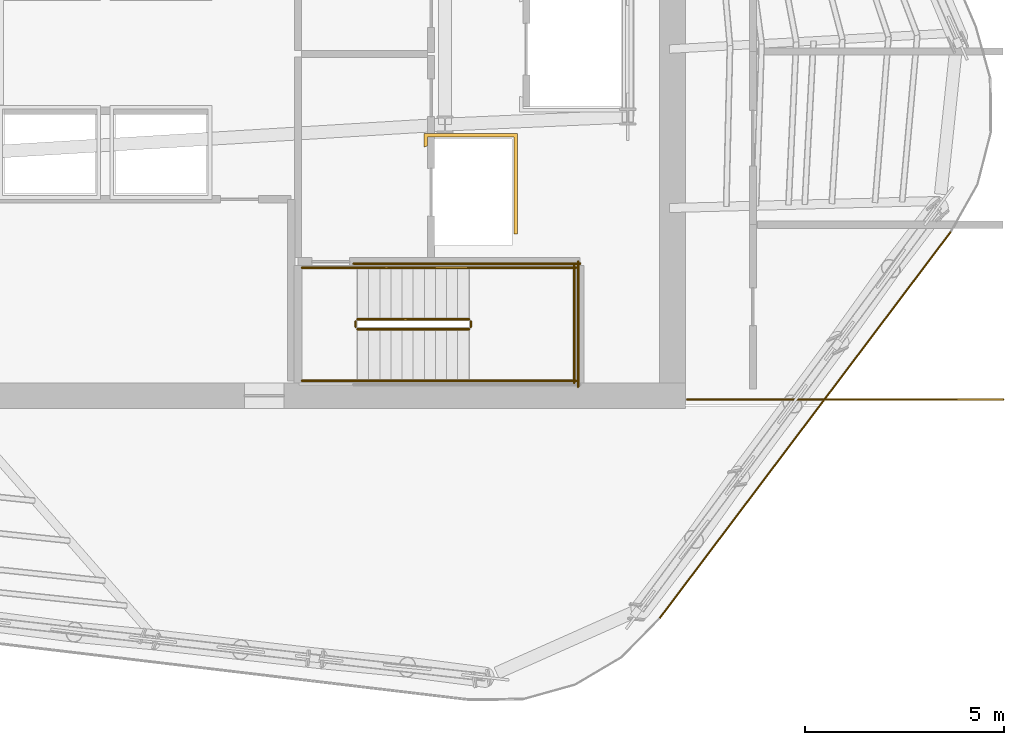
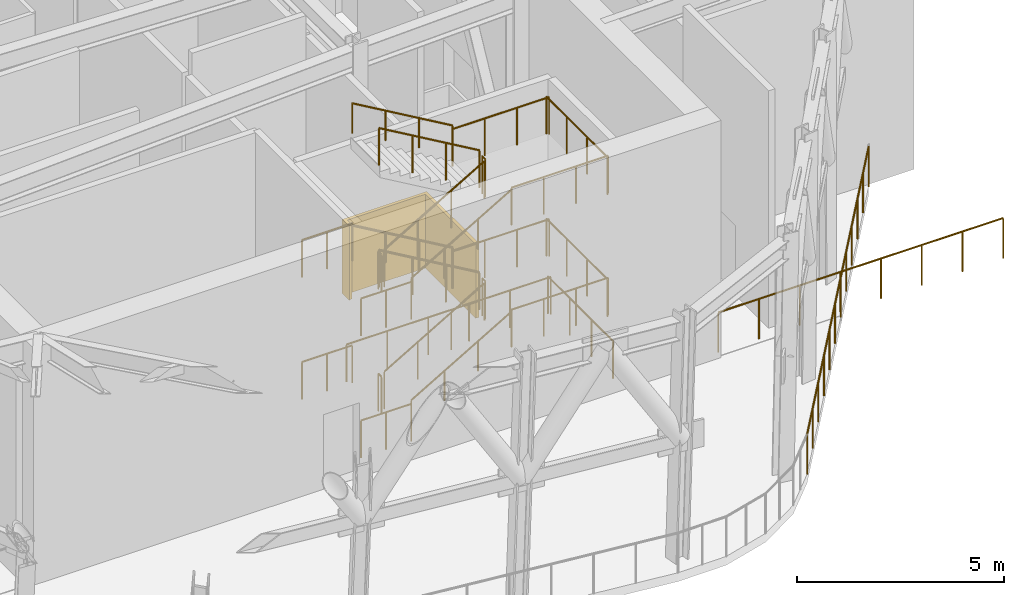
# One storey, part 8 of 10: 26 railings, 1 covering.
"""IFC4 building model written with IfcOpenShell, lengths in metres."""

import ifcopenshell
import ifcopenshell.guid

model = None  # the IFC model being written
_history = None  # IfcOwnerHistory: only IFC2X3 demands one
_inside = {}  # id of a spatial element -> (the spatial element, [elements in it])
_under = {}  # id of a project, library or spatial element -> (it, [spatial elements below it])
_declared = {}  # id of a project -> (the project, [libraries it declares])
_typed = {}  # id of a type object -> (the type object, [elements of that type])
_made_of = {}  # id of a material, layer set ... -> (it, [elements and type objects made of it])


def new_model(schema):
    """Start an empty IFC model of exactly this schema.

    Asked for "IFC4X3", IfcOpenShell would pick the latest addendum, in which some entities
    have other attributes; the version numbers below select the first issue.
    IFC2X3 requires an IfcOwnerHistory on every rooted entity: one is made here for all.
    """
    global model, _history
    if schema == "IFC4X3":
        model = ifcopenshell.file(schema_version=(4, 3, 0, 0))
    else:
        model = ifcopenshell.file(schema=schema)
    _inside.clear()
    _under.clear()
    _declared.clear()
    _typed.clear()
    _made_of.clear()
    _history = None
    if model.schema == "IFC2X3":
        org = make("IfcOrganization", Name="unknown")
        user = make(
            "IfcPersonAndOrganization",
            ThePerson=make("IfcPerson", FamilyName="unknown"),
            TheOrganization=org,
        )
        app = make(
            "IfcApplication",
            ApplicationDeveloper=org,
            Version="unknown",
            ApplicationFullName="unknown",
            ApplicationIdentifier="unknown",
        )
        _history = make(
            "IfcOwnerHistory",
            OwningUser=user,
            OwningApplication=app,
            ChangeAction="ADDED",
            CreationDate=0,
        )
    return model


def make(cls, **values):
    """One entity of the class cls with the attributes given. An attribute that is None is left unset."""
    return model.create_entity(
        cls, **{name: value for name, value in values.items() if value is not None}
    )


def rooted(cls, **values):
    """An entity with a GlobalId (a new one), such as an element, a storey or a relation."""
    return make(cls, GlobalId=ifcopenshell.guid.new(), OwnerHistory=_history, **values)


def si_unit(unit_type, name, prefix=None):
    """IfcSIUnit, for example si_unit("LENGTHUNIT", "METRE", prefix="MILLI")."""
    return make("IfcSIUnit", UnitType=unit_type, Prefix=prefix, Name=name)


def assignment(units):
    """IfcUnitAssignment: the units of a project."""
    return None if units is None else make("IfcUnitAssignment", Units=units)


def point(xyz):
    """IfcCartesianPoint."""
    return None if xyz is None else make("IfcCartesianPoint", Coordinates=xyz)


def direction(xyz):
    """IfcDirection."""
    return None if xyz is None else make("IfcDirection", DirectionRatios=xyz)


def frame(location, z_axis=None, x_axis=None):
    """IfcAxis2Placement3D, a coordinate frame: its origin and axes. An axis left out is left unset."""
    return make(
        "IfcAxis2Placement3D",
        Location=point(location),
        Axis=direction(z_axis),
        RefDirection=direction(x_axis),
    )


def frame_2d(location, x_axis=None):
    """IfcAxis2Placement2D, a coordinate frame in the plane: its origin and x axis."""
    return make(
        "IfcAxis2Placement2D", Location=point(location), RefDirection=direction(x_axis)
    )


def origin():
    """The frame at (0, 0, 0) with its axes left unset."""
    return frame((0.0, 0.0, 0.0))


def origin_2d():
    """The frame at (0, 0) in the plane with its x axis left unset."""
    return frame_2d((0.0, 0.0))


def place(relative_to, where):
    """IfcLocalPlacement: puts the frame where relative to a parent placement (None: the world)."""
    return make(
        "IfcLocalPlacement", PlacementRelTo=relative_to, RelativePlacement=where
    )


def context(
    kind, dimensions, precision=None, world=None, true_north=None, identifier=None
):
    """IfcGeometricRepresentationContext, for example the 3D "Model" context."""
    return make(
        "IfcGeometricRepresentationContext",
        ContextIdentifier=identifier,
        ContextType=kind,
        CoordinateSpaceDimension=dimensions,
        Precision=precision,
        WorldCoordinateSystem=world,
        TrueNorth=true_north,
    )


def subcontext(parent, identifier, kind, view, scale=None):
    """IfcGeometricRepresentationSubContext, for example "Body" below "Model"."""
    return make(
        "IfcGeometricRepresentationSubContext",
        ContextIdentifier=identifier,
        ContextType=kind,
        ParentContext=parent,
        TargetScale=scale,
        TargetView=view,
    )


def project(units=None, contexts=None):
    """IfcProject with its units and contexts."""
    return rooted(
        "IfcProject",
        Name="project",
        RepresentationContexts=contexts,
        UnitsInContext=assignment(units),
    )


def spatial(cls, under=None, at=None, **own):
    """A site, building, storey or space (cls), placed at a placement, below another one or the project."""
    s = rooted(cls, ObjectPlacement=at, **own)
    if under is not None:
        _under.setdefault(under.id(), (under, []))[1].append(s)
    return s


def polyline(points):
    """IfcPolyline through the points."""
    return make("IfcPolyline", Points=[point(p) for p in points])


def profile(cls, at=None, kind="AREA", **sizes):
    """A parametric profile (cls). Its sizes go by their IFC names, for example OverallWidth=200.0."""
    return make(cls, ProfileType=kind, Position=at, **sizes)


def circle(**sizes):
    """IfcCircleProfileDef."""
    return profile("IfcCircleProfileDef", **sizes)


def outline(outer, holes=None, kind="AREA"):
    """IfcArbitraryClosedProfileDef: a profile drawn as a closed curve; with holes, ...WithVoids."""
    if holes is None:
        return make("IfcArbitraryClosedProfileDef", ProfileType=kind, OuterCurve=outer)
    return make(
        "IfcArbitraryProfileDefWithVoids",
        ProfileType=kind,
        OuterCurve=outer,
        InnerCurves=holes,
    )


def extrude(swept, where, along, depth):
    """IfcExtrudedAreaSolid: the profile swept, set in the frame where, extruded along a direction by depth."""
    return make(
        "IfcExtrudedAreaSolid",
        SweptArea=swept,
        Position=where,
        ExtrudedDirection=direction(along),
        Depth=depth,
    )


def shape(context_of_items, identifier, shape_type, items):
    """IfcShapeRepresentation: the items that make up one representation, for example the "Body"."""
    return make(
        "IfcShapeRepresentation",
        ContextOfItems=context_of_items,
        RepresentationIdentifier=identifier,
        RepresentationType=shape_type,
        Items=items,
    )


def material(Name=None, Category=None):
    """IfcMaterial."""
    return make("IfcMaterial", Name=Name, Category=Category)


def layer(
    of_material, thickness, ventilated=None, Name=None, Category=None, Priority=None
):
    """IfcMaterialLayer: one layer of a wall or slab, of a material (None: an air gap)."""
    return make(
        "IfcMaterialLayer",
        Material=of_material,
        LayerThickness=thickness,
        IsVentilated=ventilated,
        Name=Name,
        Category=Category,
        Priority=Priority,
    )


def layer_set(layers, Name=None):
    """IfcMaterialLayerSet."""
    return make("IfcMaterialLayerSet", MaterialLayers=layers, LayerSetName=Name)


def made_of(thing, what):
    """Note that an element or type object is made of a material, layer set ...; save() writes the relation."""
    if what is not None:
        _made_of.setdefault(what.id(), (what, []))[1].append(thing)
    return thing


def type_object(cls, material=None, **own):
    """A type object (cls), such as IfcWallType, which elements share."""
    return made_of(rooted(cls, **own), material)


def element(
    cls,
    number,
    at=None,
    inside=None,
    cuts=None,
    type_object=None,
    material=None,
    context=None,
    identifier="Body",
    shape_type=None,
    held_by="IfcProductDefinitionShape",
    body=None,
    shapes=None,
    **own,
):
    """One element of the class cls, such as IfcWall. Its Tag is "e" and its number.

    at: its placement. inside: the storey or other place that contains it. cuts: it is an
    opening in that element (IfcRelVoidsElement). A single representation is given by context,
    identifier, shape_type and body (its items); several are given by shapes. held_by: the class
    of the entity that holds the representations. save() writes the other relations.
    """
    e = rooted(cls, Tag="e%d" % number, ObjectPlacement=at, **own)
    if body is not None:
        shapes = [shape(context, identifier, shape_type, body)]
    if shapes is not None:
        e.Representation = make(held_by, Representations=shapes)
    if inside is not None:
        _inside.setdefault(inside.id(), (inside, []))[1].append(e)
    if cuts is not None:
        rooted(
            "IfcRelVoidsElement", RelatingBuildingElement=cuts, RelatedOpeningElement=e
        )
    if type_object is not None:
        _typed.setdefault(type_object.id(), (type_object, []))[1].append(e)
    return made_of(e, material)


def aggregate(whole, parts):
    """IfcRelAggregates: a whole, such as a stair, and the parts it consists of."""
    return rooted("IfcRelAggregates", RelatingObject=whole, RelatedObjects=parts)


def save(model, path):
    """Write the relations noted so far, then the file.

    IfcRelAggregates (storeys below a building ...), IfcRelContainedInSpatialStructure (elements
    in a storey), IfcRelDefinesByType, IfcRelAssociatesMaterial and IfcRelDeclares: one each for
    every whole, place, type object, material and project.
    """
    for whole, parts in _under.values():
        aggregate(whole, parts)
    for where, things in _inside.values():
        rooted(
            "IfcRelContainedInSpatialStructure",
            RelatedElements=things,
            RelatingStructure=where,
        )
    for kind, things in _typed.values():
        rooted("IfcRelDefinesByType", RelatedObjects=things, RelatingType=kind)
    for what, things in _made_of.values():
        rooted("IfcRelAssociatesMaterial", RelatedObjects=things, RelatingMaterial=what)
    for by, libraries in _declared.values():
        rooted("IfcRelDeclares", RelatingContext=by, RelatedDefinitions=libraries)
    model.write(path)


model = new_model("IFC4")

# Units and contexts
model_context = context("Model", 3, precision=1e-05, world=origin(), true_north=direction((0.0, 1.0)))
body_context = subcontext(model_context, "Body", "Model", "MODEL_VIEW")
ifc_project = project(units=[si_unit("LENGTHUNIT", "METRE"), si_unit("AREAUNIT", "SQUARE_METRE"), si_unit("VOLUMEUNIT", "CUBIC_METRE"), si_unit("PLANEANGLEUNIT", "RADIAN"), si_unit("MASSUNIT", "GRAM", prefix="KILO")], contexts=[model_context])

# Site, building, storey
site_placement = place(None, origin())
site = spatial("IfcSite", under=ifc_project, at=site_placement, CompositionType="ELEMENT")
building_placement = place(site_placement, origin())
building = spatial("IfcBuilding", under=site, at=building_placement, Name="Valkerne Bourse Tower", CompositionType="ELEMENT")
storey_placement = place(building_placement, frame((0.0, 0.0, 251.199951171875)))
storey = spatial("IfcBuildingStorey", under=building, at=storey_placement, Name="L64", CompositionType="ELEMENT", Elevation=251.199951171875)

# Covering
ifc_material_1 = material(Name="Gypsum Shaftwall Liner Board", Category="gypsum")
ifc_layer = layer(ifc_material_1, 0.080078125)
ifc_layer_set = layer_set([ifc_layer], Name="Gypsum Shaftwall Liner Board")
covering_type = type_object("IfcCoveringType", Name="COV-SHF-CLAD", PredefinedType="CLADDING", material=ifc_layer_set)
covering_placement = place(storey_placement, origin())
element("IfcCovering", 1, at=covering_placement, inside=storey, type_object=covering_type, Name="L64 Hoistway & Riser Shaftwall Liner 05", PredefinedType="CLADDING", context=body_context, shape_type="SweptSolid", body=[
    extrude(outline(polyline([(52.179931640625, 22.35009765625), (52.090087890625, 22.35009765625), (52.090087890625, 24.7900390625), (49.909912109375, 24.7900390625), (49.909912109375, 24.560791015625), (49.869384765625, 24.550537109375), (49.827880859375, 24.53564453125), (49.820068359375, 24.531982421875), (49.820068359375, 24.8798828125), (52.179931640625, 24.8798828125), (52.179931640625, 22.35009765625)])), origin(), (0.0, 0.0, 1.0), 2.179931640625),
])

# Railings
ifc_material_2 = material(Name="Stainless Steel AISI 316", Category="steel")
railing_type_1 = type_object("IfcRailingType", Name="RLG-PORTAL-1200", PredefinedType="GUARDRAIL", material=ifc_material_2)
railing_1_placement = place(storey_placement, frame((55.7431640625, 12.66015625, 0.0)))
element("IfcRailing", 2, at=railing_1_placement, inside=storey, type_object=railing_type_1, Name="L64 Perimeter Guard Railing GRD-L64-HEX-25", PredefinedType="GUARDRAIL", context=body_context, shape_type="SweptSolid", body=[
    extrude(circle(Radius=0.02392578125, at=origin_2d()), frame((0.0, 0.0, 1.17578125), z_axis=(0.601736173692, 0.798694921275, 0.0), x_axis=(-0.798694921275, 0.601736173692, 0.0)), (0.0, 0.0, 1.0), 12.20703125),
    extrude(circle(Radius=0.02099609375, at=origin_2d()), origin(), (0.0, 0.0, 1.0), 1.15185546875),
    extrude(circle(Radius=0.02099609375, at=origin_2d()), frame((0.667724609375, 0.88623046875, 0.0)), (0.0, 0.0, 1.0), 1.15185546875),
    extrude(circle(Radius=0.02099609375, at=origin_2d()), frame((1.33544921875, 1.772705078125, 0.0)), (0.0, 0.0, 1.0), 1.15185546875),
    extrude(circle(Radius=0.02099609375, at=origin_2d()), frame((2.00341796875, 2.658935546875, 0.0)), (0.0, 0.0, 1.0), 1.15185546875),
    extrude(circle(Radius=0.02099609375, at=origin_2d()), frame((2.671142578125, 3.54541015625, 0.0)), (0.0, 0.0, 1.0), 1.15185546875),
    extrude(circle(Radius=0.02099609375, at=origin_2d()), frame((3.3388671875, 4.431640625, 0.0)), (0.0, 0.0, 1.0), 1.15185546875),
    extrude(circle(Radius=0.02099609375, at=origin_2d()), frame((4.006591796875, 5.318115234375, 0.0)), (0.0, 0.0, 1.0), 1.15185546875),
    extrude(circle(Radius=0.02099609375, at=origin_2d()), frame((4.67431640625, 6.204345703125, 0.0)), (0.0, 0.0, 1.0), 1.15185546875),
    extrude(circle(Radius=0.02099609375, at=origin_2d()), frame((5.342041015625, 7.0908203125, 0.0)), (0.0, 0.0, 1.0), 1.15185546875),
    extrude(circle(Radius=0.02099609375, at=origin_2d()), frame((6.010009765625, 7.97705078125, 0.0)), (0.0, 0.0, 1.0), 1.15185546875),
    extrude(circle(Radius=0.02099609375, at=origin_2d()), frame((6.677734375, 8.863525390625, 0.0)), (0.0, 0.0, 1.0), 1.15185546875),
    extrude(circle(Radius=0.02099609375, at=origin_2d()), frame((7.345458984375, 9.749755859375, 0.0)), (0.0, 0.0, 1.0), 1.15185546875),
])
railing_2_placement = place(storey_placement, frame((56.449951171875, 18.179931640625, 0.0)))
element("IfcRailing", 3, at=railing_2_placement, inside=storey, type_object=railing_type_1, Name="L64 Wind Portal Bridge Guard SE", PredefinedType="GUARDRAIL", context=body_context, shape_type="SweptSolid", body=[
    extrude(circle(Radius=0.02392578125, at=origin_2d()), frame((0.0, 0.0, 1.17578125), z_axis=(1.0, 0.0, 0.0), x_axis=(0.0, 1.0, 0.0)), (0.0, 0.0, 1.0), 7.949951171875),
    extrude(circle(Radius=0.02099609375, at=origin_2d()), origin(), (0.0, 0.0, 1.0), 1.15185546875),
    extrude(circle(Radius=0.02099609375, at=origin_2d()), frame((1.1357421875, 0.0, 0.0)), (0.0, 0.0, 1.0), 1.15185546875),
    extrude(circle(Radius=0.02099609375, at=origin_2d()), frame((2.271484375, 0.0, 0.0)), (0.0, 0.0, 1.0), 1.15185546875),
    extrude(circle(Radius=0.02099609375, at=origin_2d()), frame((3.4072265625, 0.0, 0.0)), (0.0, 0.0, 1.0), 1.15185546875),
    extrude(circle(Radius=0.02099609375, at=origin_2d()), frame((4.542724609375, 0.0, 0.0)), (0.0, 0.0, 1.0), 1.15185546875),
    extrude(circle(Radius=0.02099609375, at=origin_2d()), frame((5.678466796875, 0.0, 0.0)), (0.0, 0.0, 1.0), 1.15185546875),
    extrude(circle(Radius=0.02099609375, at=origin_2d()), frame((6.814208984375, 0.0, 0.0)), (0.0, 0.0, 1.0), 1.15185546875),
    extrude(circle(Radius=0.02099609375, at=origin_2d()), frame((7.949951171875, 0.0, 0.0)), (0.0, 0.0, 1.0), 1.15185546875),
])
ifc_material_3 = material(Name="Galvanised Painted Steel", Category="steel")
railing_type_2 = type_object("IfcRailingType", Name="RLG-ST-GUARD-1120", PredefinedType="GUARDRAIL", material=ifc_material_3)
railing_3_placement = place(storey_placement, frame((48.14990234375, 19.949951171875, 0.16357421875)))
element("IfcRailing", 4, at=railing_3_placement, inside=storey, type_object=railing_type_2, Name="L64 ST-1 stair guard 1", PredefinedType="GUARDRAIL", context=body_context, shape_type="SweptSolid", body=[
    extrude(circle(Radius=0.02392578125, at=origin_2d()), frame((0.0, 0.0, 1.09619140625), z_axis=(0.863360870873, 0.0, 0.504586966384), x_axis=(0.0, 1.0, 0.0)), (0.0, 0.0, 1.0), 3.2431640625),
    extrude(circle(Radius=0.02099609375, at=origin_2d()), origin(), (0.0, 0.0, 1.0), 1.072021484375),
    extrude(circle(Radius=0.02099609375, at=origin_2d()), frame((0.933349609375, 0.0, 0.54541015625)), (0.0, 0.0, 1.0), 1.072021484375),
    extrude(circle(Radius=0.02099609375, at=origin_2d()), frame((1.86669921875, 0.0, 1.091064453125)), (0.0, 0.0, 1.0), 1.072021484375),
    extrude(circle(Radius=0.02099609375, at=origin_2d()), frame((2.800048828125, 0.0, 1.636474609375)), (0.0, 0.0, 1.0), 1.072021484375),
])
railing_4_placement = place(storey_placement, frame((51.0, 20.0, 1.800048828125)))
element("IfcRailing", 5, at=railing_4_placement, inside=storey, type_object=railing_type_2, Name="L64 ST-1 stair guard 2", PredefinedType="GUARDRAIL", context=body_context, shape_type="SweptSolid", body=[
    extrude(circle(Radius=0.02392578125, at=origin_2d()), frame((0.0, 0.0, 1.09619140625), z_axis=(0.0, 1.0, 0.0), x_axis=(-1.0, 0.0, 0.0)), (0.0, 0.0, 1.0), 0.14990234375),
    extrude(circle(Radius=0.02099609375, at=origin_2d()), origin(), (0.0, 0.0, 1.0), 1.072021484375),
    extrude(circle(Radius=0.02099609375, at=origin_2d()), frame((0.0, 0.14990234375, 0.0)), (0.0, 0.0, 1.0), 1.072021484375),
])
for number, where, name in (
    (6, (50.949951171875, 18.64990234375, 1.800048828125), "L64 ST-1 stair guard 3"),
    (7, (50.949951171875, 21.5, 1.800048828125), "L64 ST-1 stair guard 4"),
):
    element("IfcRailing", number, at=place(storey_placement, frame(where)), inside=storey, type_object=railing_type_2, Name=name, PredefinedType="GUARDRAIL", context=body_context, shape_type="SweptSolid", body=[
        extrude(circle(Radius=0.02392578125, at=origin_2d()), frame((0.0, 0.0, 1.09619140625), z_axis=(1.0, 0.0, 0.0), x_axis=(0.0, 1.0, 0.0)), (0.0, 0.0, 1.0), 2.699951171875),
        extrude(circle(Radius=0.02099609375, at=origin_2d()), origin(), (0.0, 0.0, 1.0), 1.072021484375),
        extrude(circle(Radius=0.02099609375, at=origin_2d()), frame((0.89990234375, 0.0, 0.0)), (0.0, 0.0, 1.0), 1.072021484375),
        extrude(circle(Radius=0.02099609375, at=origin_2d()), frame((1.800048828125, 0.0, 0.0)), (0.0, 0.0, 1.0), 1.072021484375),
        extrude(circle(Radius=0.02099609375, at=origin_2d()), frame((2.699951171875, 0.0, 0.0)), (0.0, 0.0, 1.0), 1.072021484375),
    ])
railing_5_placement = place(storey_placement, frame((53.60009765625, 18.60009765625, 1.800048828125)))
element("IfcRailing", 8, at=railing_5_placement, inside=storey, type_object=railing_type_2, Name="L64 ST-1 stair guard 5", PredefinedType="GUARDRAIL", context=body_context, shape_type="SweptSolid", body=[
    extrude(circle(Radius=0.02392578125, at=origin_2d()), frame((0.0, 0.0, 1.09619140625), z_axis=(0.0, 1.0, 0.0), x_axis=(-1.0, 0.0, 0.0)), (0.0, 0.0, 1.0), 2.949951171875),
    extrude(circle(Radius=0.02099609375, at=origin_2d()), origin(), (0.0, 0.0, 1.0), 1.072021484375),
    extrude(circle(Radius=0.02099609375, at=origin_2d()), frame((0.0, 0.9833984375, 0.0)), (0.0, 0.0, 1.0), 1.072021484375),
    extrude(circle(Radius=0.02099609375, at=origin_2d()), frame((0.0, 1.966552734375, 0.0)), (0.0, 0.0, 1.0), 1.072021484375),
    extrude(circle(Radius=0.02099609375, at=origin_2d()), frame((0.0, 2.949951171875, 0.0)), (0.0, 0.0, 1.0), 1.072021484375),
])
railing_6_placement = place(storey_placement, frame((50.949951171875, 20.199951171875, 1.963623046875)))
element("IfcRailing", 9, at=railing_6_placement, inside=storey, type_object=railing_type_2, Name="L64 ST-1 stair guard 6", PredefinedType="GUARDRAIL", context=body_context, shape_type="SweptSolid", body=[
    extrude(circle(Radius=0.02392578125, at=origin_2d()), frame((0.0, 0.0, 1.09619140625), z_axis=(-0.863360870873, 0.0, 0.504586966384), x_axis=(0.0, -1.0, 0.0)), (0.0, 0.0, 1.0), 3.2431640625),
    extrude(circle(Radius=0.02099609375, at=origin_2d()), origin(), (0.0, 0.0, 1.0), 1.072021484375),
    extrude(circle(Radius=0.02099609375, at=origin_2d()), frame((-0.933349609375, 0.0, 0.54541015625)), (0.0, 0.0, 1.0), 1.072021484375),
    extrude(circle(Radius=0.02099609375, at=origin_2d()), frame((-1.86669921875, 0.0, 1.091064453125)), (0.0, 0.0, 1.0), 1.072021484375),
    extrude(circle(Radius=0.02099609375, at=origin_2d()), frame((-2.800048828125, 0.0, 1.636474609375)), (0.0, 0.0, 1.0), 1.072021484375),
])
railing_7_placement = place(storey_placement, frame((48.10009765625, 20.0, 3.60009765625)))
element("IfcRailing", 10, at=railing_7_placement, inside=storey, type_object=railing_type_2, Name="L64 ST-1 stair guard 7", PredefinedType="GUARDRAIL", context=body_context, shape_type="SweptSolid", body=[
    extrude(circle(Radius=0.02392578125, at=origin_2d()), frame((0.0, 0.0, 1.09619140625), z_axis=(0.0, 1.0, 0.0), x_axis=(-1.0, 0.0, 0.0)), (0.0, 0.0, 1.0), 0.14990234375),
    extrude(circle(Radius=0.02099609375, at=origin_2d()), origin(), (0.0, 0.0, 1.0), 1.072021484375),
    extrude(circle(Radius=0.02099609375, at=origin_2d()), frame((0.0, 0.14990234375, 0.0)), (0.0, 0.0, 1.0), 1.072021484375),
])
for number, where, name in (
    (11, (46.75, 18.64990234375, 3.60009765625), "L64 ST-1 stair guard 8"),
    (12, (46.75, 21.5, 3.60009765625), "L64 ST-1 stair guard 9"),
):
    element("IfcRailing", number, at=place(storey_placement, frame(where)), inside=storey, type_object=railing_type_2, Name=name, PredefinedType="GUARDRAIL", context=body_context, shape_type="SweptSolid", body=[
        extrude(circle(Radius=0.02392578125, at=origin_2d()), frame((0.0, 0.0, 1.09619140625), z_axis=(1.0, 0.0, 0.0), x_axis=(0.0, 1.0, 0.0)), (0.0, 0.0, 1.0), 1.39990234375),
        extrude(circle(Radius=0.02099609375, at=origin_2d()), origin(), (0.0, 0.0, 1.0), 1.072021484375),
        extrude(circle(Radius=0.02099609375, at=origin_2d()), frame((0.699951171875, 0.0, 0.0)), (0.0, 0.0, 1.0), 1.072021484375),
        extrude(circle(Radius=0.02099609375, at=origin_2d()), frame((1.39990234375, 0.0, 0.0)), (0.0, 0.0, 1.0), 1.072021484375),
    ])
railing_8_placement = place(storey_placement, frame((48.14990234375, 19.949951171875, 3.763671875)))
element("IfcRailing", 13, at=railing_8_placement, inside=storey, type_object=railing_type_2, Name="L64 ST-1 stair guard 10", PredefinedType="GUARDRAIL", context=body_context, shape_type="SweptSolid", body=[
    extrude(circle(Radius=0.02392578125, at=origin_2d()), frame((0.0, 0.0, 1.09619140625), z_axis=(0.863360870873, 0.0, 0.504586966384), x_axis=(0.0, 1.0, 0.0)), (0.0, 0.0, 1.0), 3.2431640625),
    extrude(circle(Radius=0.02099609375, at=origin_2d()), origin(), (0.0, 0.0, 1.0), 1.072021484375),
    extrude(circle(Radius=0.02099609375, at=origin_2d()), frame((0.933349609375, 0.0, 0.54541015625)), (0.0, 0.0, 1.0), 1.072021484375),
    extrude(circle(Radius=0.02099609375, at=origin_2d()), frame((1.86669921875, 0.0, 1.091064453125)), (0.0, 0.0, 1.0), 1.072021484375),
    extrude(circle(Radius=0.02099609375, at=origin_2d()), frame((2.800048828125, 0.0, 1.636474609375)), (0.0, 0.0, 1.0), 1.072021484375),
])
railing_9_placement = place(storey_placement, frame((51.0, 20.0, 5.400146484375)))
element("IfcRailing", 14, at=railing_9_placement, inside=storey, type_object=railing_type_2, Name="L64 ST-1 stair guard 11", PredefinedType="GUARDRAIL", context=body_context, shape_type="SweptSolid", body=[
    extrude(circle(Radius=0.02392578125, at=origin_2d()), frame((0.0, 0.0, 1.09619140625), z_axis=(0.0, 1.0, 0.0), x_axis=(-1.0, 0.0, 0.0)), (0.0, 0.0, 1.0), 0.14990234375),
    extrude(circle(Radius=0.02099609375, at=origin_2d()), origin(), (0.0, 0.0, 1.0), 1.072021484375),
    extrude(circle(Radius=0.02099609375, at=origin_2d()), frame((0.0, 0.14990234375, 0.0)), (0.0, 0.0, 1.0), 1.072021484375),
])
for number, where, name in (
    (15, (50.949951171875, 18.64990234375, 5.400146484375), "L64 ST-1 stair guard 12"),
    (16, (50.949951171875, 21.5, 5.400146484375), "L64 ST-1 stair guard 13"),
):
    element("IfcRailing", number, at=place(storey_placement, frame(where)), inside=storey, type_object=railing_type_2, Name=name, PredefinedType="GUARDRAIL", context=body_context, shape_type="SweptSolid", body=[
        extrude(circle(Radius=0.02392578125, at=origin_2d()), frame((0.0, 0.0, 1.09619140625), z_axis=(1.0, 0.0, 0.0), x_axis=(0.0, 1.0, 0.0)), (0.0, 0.0, 1.0), 2.699951171875),
        extrude(circle(Radius=0.02099609375, at=origin_2d()), origin(), (0.0, 0.0, 1.0), 1.072021484375),
        extrude(circle(Radius=0.02099609375, at=origin_2d()), frame((0.89990234375, 0.0, 0.0)), (0.0, 0.0, 1.0), 1.072021484375),
        extrude(circle(Radius=0.02099609375, at=origin_2d()), frame((1.800048828125, 0.0, 0.0)), (0.0, 0.0, 1.0), 1.072021484375),
        extrude(circle(Radius=0.02099609375, at=origin_2d()), frame((2.699951171875, 0.0, 0.0)), (0.0, 0.0, 1.0), 1.072021484375),
    ])
railing_10_placement = place(storey_placement, frame((53.60009765625, 18.60009765625, 5.400146484375)))
element("IfcRailing", 17, at=railing_10_placement, inside=storey, type_object=railing_type_2, Name="L64 ST-1 stair guard 14", PredefinedType="GUARDRAIL", context=body_context, shape_type="SweptSolid", body=[
    extrude(circle(Radius=0.02392578125, at=origin_2d()), frame((0.0, 0.0, 1.09619140625), z_axis=(0.0, 1.0, 0.0), x_axis=(-1.0, 0.0, 0.0)), (0.0, 0.0, 1.0), 2.949951171875),
    extrude(circle(Radius=0.02099609375, at=origin_2d()), origin(), (0.0, 0.0, 1.0), 1.072021484375),
    extrude(circle(Radius=0.02099609375, at=origin_2d()), frame((0.0, 0.9833984375, 0.0)), (0.0, 0.0, 1.0), 1.072021484375),
    extrude(circle(Radius=0.02099609375, at=origin_2d()), frame((0.0, 1.966552734375, 0.0)), (0.0, 0.0, 1.0), 1.072021484375),
    extrude(circle(Radius=0.02099609375, at=origin_2d()), frame((0.0, 2.949951171875, 0.0)), (0.0, 0.0, 1.0), 1.072021484375),
])
railing_11_placement = place(storey_placement, frame((50.949951171875, 20.199951171875, 5.563720703125)))
element("IfcRailing", 18, at=railing_11_placement, inside=storey, type_object=railing_type_2, Name="L64 ST-1 stair guard 15", PredefinedType="GUARDRAIL", context=body_context, shape_type="SweptSolid", body=[
    extrude(circle(Radius=0.02392578125, at=origin_2d()), frame((0.0, 0.0, 1.09619140625), z_axis=(-0.863393664356, 0.0, 0.504530851732), x_axis=(0.0, -1.0, 0.0)), (0.0, 0.0, 1.0), 3.2431640625),
    extrude(circle(Radius=0.02099609375, at=origin_2d()), origin(), (0.0, 0.0, 1.0), 1.072021484375),
    extrude(circle(Radius=0.02099609375, at=origin_2d()), frame((-0.933349609375, 0.0, 0.54541015625)), (0.0, 0.0, 1.0), 1.072021484375),
    extrude(circle(Radius=0.02099609375, at=origin_2d()), frame((-1.86669921875, 0.0, 1.0908203125)), (0.0, 0.0, 1.0), 1.072021484375),
    extrude(circle(Radius=0.02099609375, at=origin_2d()), frame((-2.800048828125, 0.0, 1.63623046875)), (0.0, 0.0, 1.0), 1.072021484375),
])
railing_12_placement = place(storey_placement, frame((48.10009765625, 20.0, 0.0)))
element("IfcRailing", 19, at=railing_12_placement, inside=storey, type_object=railing_type_2, Name="L64 ST-1 stair guard 16", PredefinedType="GUARDRAIL", context=body_context, shape_type="SweptSolid", body=[
    extrude(circle(Radius=0.02392578125, at=origin_2d()), frame((0.0, 0.0, 1.09619140625), z_axis=(0.0, 1.0, 0.0), x_axis=(-1.0, 0.0, 0.0)), (0.0, 0.0, 1.0), 0.14990234375),
    extrude(circle(Radius=0.02099609375, at=origin_2d()), origin(), (0.0, 0.0, 1.0), 1.072021484375),
    extrude(circle(Radius=0.02099609375, at=origin_2d()), frame((0.0, 0.14990234375, 0.0)), (0.0, 0.0, 1.0), 1.072021484375),
])
for number, where, name in (
    (20, (46.75, 18.64990234375, 0.0), "L64 ST-1 stair guard 17"),
    (21, (46.75, 21.5, 0.0), "L64 ST-1 stair guard 18"),
):
    element("IfcRailing", number, at=place(storey_placement, frame(where)), inside=storey, type_object=railing_type_2, Name=name, PredefinedType="GUARDRAIL", context=body_context, shape_type="SweptSolid", body=[
        extrude(circle(Radius=0.02392578125, at=origin_2d()), frame((0.0, 0.0, 1.09619140625), z_axis=(1.0, 0.0, 0.0), x_axis=(0.0, 1.0, 0.0)), (0.0, 0.0, 1.0), 1.39990234375),
        extrude(circle(Radius=0.02099609375, at=origin_2d()), origin(), (0.0, 0.0, 1.0), 1.072021484375),
        extrude(circle(Radius=0.02099609375, at=origin_2d()), frame((0.699951171875, 0.0, 0.0)), (0.0, 0.0, 1.0), 1.072021484375),
        extrude(circle(Radius=0.02099609375, at=origin_2d()), frame((1.39990234375, 0.0, 0.0)), (0.0, 0.0, 1.0), 1.072021484375),
    ])
railing_13_placement = place(storey_placement, frame((48.050048828125, 21.60009765625, 0.0)))
element("IfcRailing", 22, at=railing_13_placement, inside=storey, type_object=railing_type_2, Name="L64 ST-1 stair guard 20", PredefinedType="GUARDRAIL", context=body_context, shape_type="SweptSolid", body=[
    extrude(circle(Radius=0.02392578125, at=origin_2d()), frame((0.0, 0.0, 1.09619140625), z_axis=(1.0, 0.0, 0.0), x_axis=(0.0, 1.0, 0.0)), (0.0, 0.0, 1.0), 5.699951171875),
    extrude(circle(Radius=0.02099609375, at=origin_2d()), origin(), (0.0, 0.0, 1.0), 1.072021484375),
    extrude(circle(Radius=0.02099609375, at=origin_2d()), frame((1.139892578125, 0.0, 0.0)), (0.0, 0.0, 1.0), 1.072021484375),
    extrude(circle(Radius=0.02099609375, at=origin_2d()), frame((2.280029296875, 0.0, 0.0)), (0.0, 0.0, 1.0), 1.072021484375),
    extrude(circle(Radius=0.02099609375, at=origin_2d()), frame((3.419921875, 0.0, 0.0)), (0.0, 0.0, 1.0), 1.072021484375),
    extrude(circle(Radius=0.02099609375, at=origin_2d()), frame((4.56005859375, 0.0, 0.0)), (0.0, 0.0, 1.0), 1.072021484375),
    extrude(circle(Radius=0.02099609375, at=origin_2d()), frame((5.699951171875, 0.0, 0.0)), (0.0, 0.0, 1.0), 1.072021484375),
])
railing_14_placement = place(storey_placement, frame((53.699951171875, 18.5, 0.0)))
element("IfcRailing", 23, at=railing_14_placement, inside=storey, type_object=railing_type_2, Name="L64 ST-1 stair guard 21", PredefinedType="GUARDRAIL", context=body_context, shape_type="SweptSolid", body=[
    extrude(circle(Radius=0.02392578125, at=origin_2d()), frame((0.0, 0.0, 1.09619140625), z_axis=(0.0, 1.0, 0.0), x_axis=(-1.0, 0.0, 0.0)), (0.0, 0.0, 1.0), 3.14990234375),
    extrude(circle(Radius=0.02099609375, at=origin_2d()), origin(), (0.0, 0.0, 1.0), 1.072021484375),
    extrude(circle(Radius=0.02099609375, at=origin_2d()), frame((0.0, 1.050048828125, 0.0)), (0.0, 0.0, 1.0), 1.072021484375),
    extrude(circle(Radius=0.02099609375, at=origin_2d()), frame((0.0, 2.099853515625, 0.0)), (0.0, 0.0, 1.0), 1.072021484375),
    extrude(circle(Radius=0.02099609375, at=origin_2d()), frame((0.0, 3.14990234375, 0.0)), (0.0, 0.0, 1.0), 1.072021484375),
])
railing_type_3 = type_object("IfcRailingType", Name="RLG-ST-HANDRAIL-900", PredefinedType="HANDRAIL", material=ifc_material_2)
railing_15_placement = place(storey_placement, frame((48.14990234375, 18.64990234375, 0.327392578125)))
element("IfcRailing", 24, at=railing_15_placement, inside=storey, type_object=railing_type_3, Name="L64 ST-1 stair handrail 1", PredefinedType="HANDRAIL", context=body_context, shape_type="SweptSolid", body=[
    extrude(circle(Radius=0.02392578125, at=origin_2d()), frame((0.0, 0.0, 0.8759765625), z_axis=(0.863393664356, 0.0, 0.504530851732), x_axis=(0.0, 1.0, 0.0)), (0.0, 0.0, 1.0), 3.2431640625),
    extrude(circle(Radius=0.02099609375, at=origin_2d()), origin(), (0.0, 0.0, 1.0), 0.851806640625),
    extrude(circle(Radius=0.02099609375, at=origin_2d()), frame((0.933349609375, 0.0, 0.54541015625)), (0.0, 0.0, 1.0), 0.851806640625),
    extrude(circle(Radius=0.02099609375, at=origin_2d()), frame((1.86669921875, 0.0, 1.0908203125)), (0.0, 0.0, 1.0), 0.851806640625),
    extrude(circle(Radius=0.02099609375, at=origin_2d()), frame((2.800048828125, 0.0, 1.63623046875)), (0.0, 0.0, 1.0), 0.851806640625),
])
railing_16_placement = place(storey_placement, frame((50.949951171875, 21.5, 2.12744140625)))
element("IfcRailing", 25, at=railing_16_placement, inside=storey, type_object=railing_type_3, Name="L64 ST-1 stair handrail 2", PredefinedType="HANDRAIL", context=body_context, shape_type="SweptSolid", body=[
    extrude(circle(Radius=0.02392578125, at=origin_2d()), frame((0.0, 0.0, 0.8759765625), z_axis=(-0.863393664356, 0.0, 0.504530851732), x_axis=(0.0, -1.0, 0.0)), (0.0, 0.0, 1.0), 3.2431640625),
    extrude(circle(Radius=0.02099609375, at=origin_2d()), origin(), (0.0, 0.0, 1.0), 0.851806640625),
    extrude(circle(Radius=0.02099609375, at=origin_2d()), frame((-0.933349609375, 0.0, 0.54541015625)), (0.0, 0.0, 1.0), 0.851806640625),
    extrude(circle(Radius=0.02099609375, at=origin_2d()), frame((-1.86669921875, 0.0, 1.0908203125)), (0.0, 0.0, 1.0), 0.851806640625),
    extrude(circle(Radius=0.02099609375, at=origin_2d()), frame((-2.800048828125, 0.0, 1.63623046875)), (0.0, 0.0, 1.0), 0.851806640625),
])
railing_17_placement = place(storey_placement, frame((48.14990234375, 18.64990234375, 3.92724609375)))
element("IfcRailing", 26, at=railing_17_placement, inside=storey, type_object=railing_type_3, Name="L64 ST-1 stair handrail 3", PredefinedType="HANDRAIL", context=body_context, shape_type="SweptSolid", body=[
    extrude(circle(Radius=0.02392578125, at=origin_2d()), frame((0.0, 0.0, 0.8759765625), z_axis=(0.863360870873, 0.0, 0.504586966384), x_axis=(0.0, 1.0, 0.0)), (0.0, 0.0, 1.0), 3.2431640625),
    extrude(circle(Radius=0.02099609375, at=origin_2d()), origin(), (0.0, 0.0, 1.0), 0.851806640625),
    extrude(circle(Radius=0.02099609375, at=origin_2d()), frame((0.933349609375, 0.0, 0.54541015625)), (0.0, 0.0, 1.0), 0.851806640625),
    extrude(circle(Radius=0.02099609375, at=origin_2d()), frame((1.86669921875, 0.0, 1.091064453125)), (0.0, 0.0, 1.0), 0.851806640625),
    extrude(circle(Radius=0.02099609375, at=origin_2d()), frame((2.800048828125, 0.0, 1.636474609375)), (0.0, 0.0, 1.0), 0.851806640625),
])
railing_18_placement = place(storey_placement, frame((50.949951171875, 21.5, 5.727294921875)))
element("IfcRailing", 27, at=railing_18_placement, inside=storey, type_object=railing_type_3, Name="L64 ST-1 stair handrail 4", PredefinedType="HANDRAIL", context=body_context, shape_type="SweptSolid", body=[
    extrude(circle(Radius=0.02392578125, at=origin_2d()), frame((0.0, 0.0, 0.8759765625), z_axis=(-0.863360870873, 0.0, 0.504586966384), x_axis=(0.0, -1.0, 0.0)), (0.0, 0.0, 1.0), 3.2431640625),
    extrude(circle(Radius=0.02099609375, at=origin_2d()), origin(), (0.0, 0.0, 1.0), 0.851806640625),
    extrude(circle(Radius=0.02099609375, at=origin_2d()), frame((-0.933349609375, 0.0, 0.54541015625)), (0.0, 0.0, 1.0), 0.851806640625),
    extrude(circle(Radius=0.02099609375, at=origin_2d()), frame((-1.86669921875, 0.0, 1.091064453125)), (0.0, 0.0, 1.0), 0.851806640625),
    extrude(circle(Radius=0.02099609375, at=origin_2d()), frame((-2.800048828125, 0.0, 1.636474609375)), (0.0, 0.0, 1.0), 0.851806640625),
])

save(model, "model.ifc")
